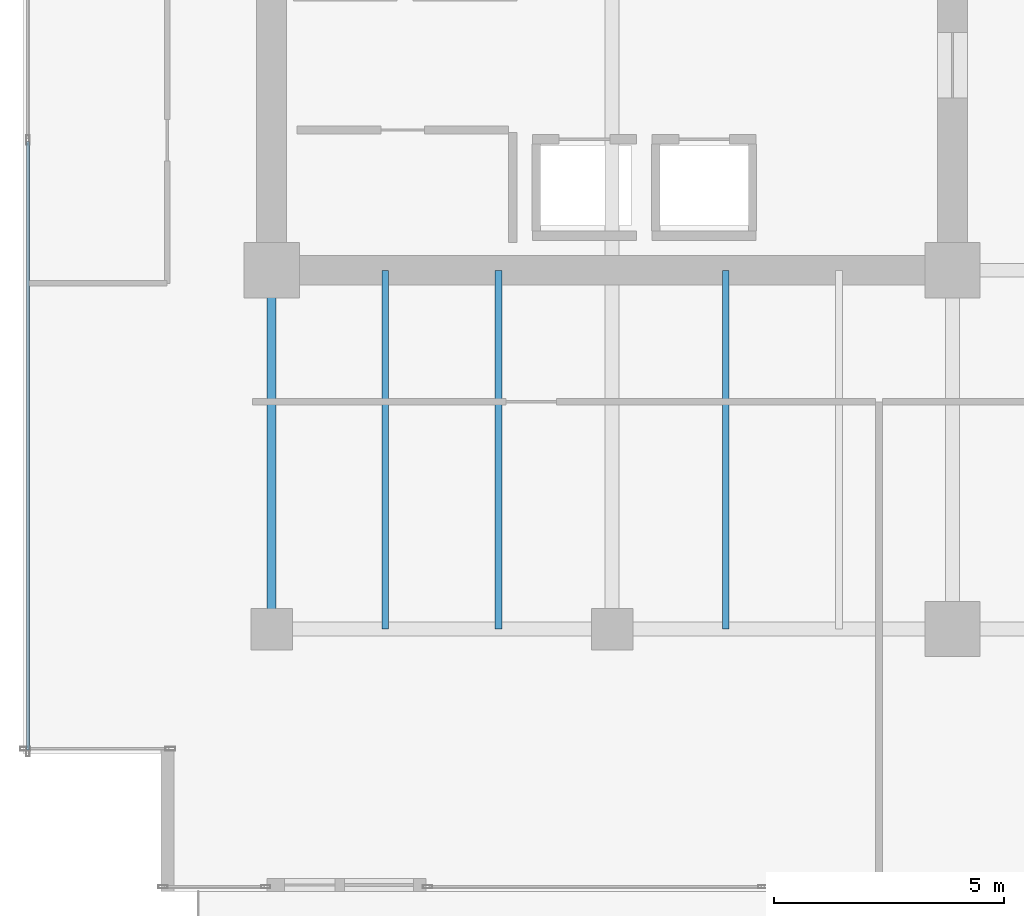
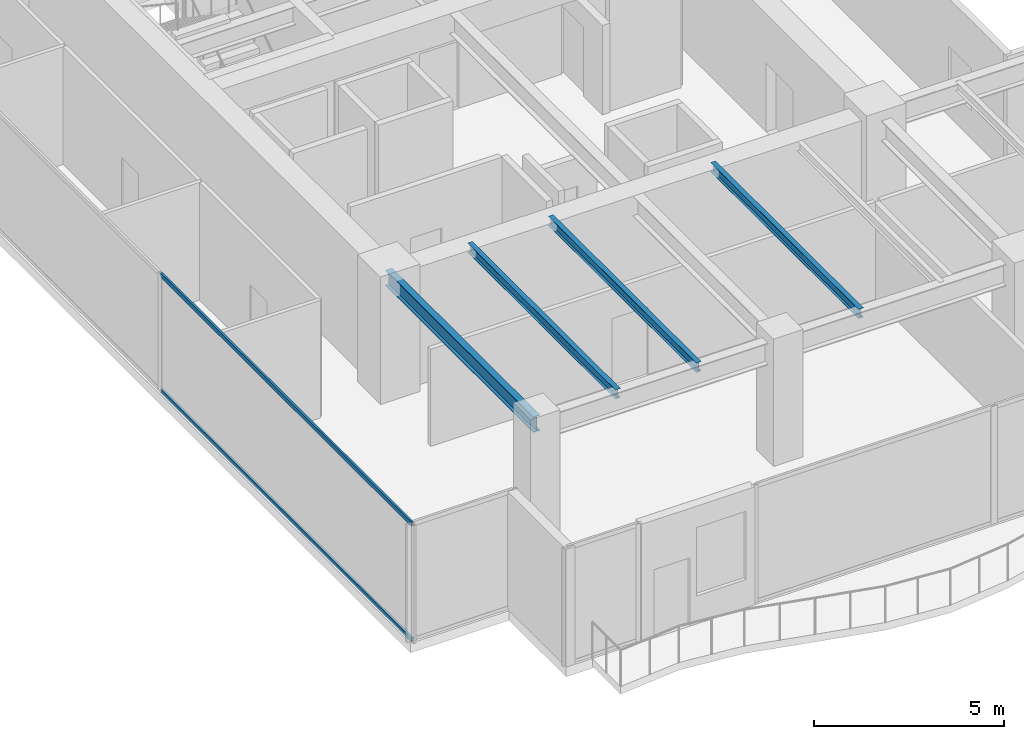
# One storey, part 3 of 30: 4 beams, 2 members, 1 element without a shape of its own.
"""IFC4 building model written with IfcOpenShell, lengths in metres."""

from ifc_helpers import new_model, si_unit, direction, frame, origin, origin_2d, place, context, subcontext, project, spatial, hollow_rectangle, i_section, extrude, source, transform, mapped, material, layer, layer_set, material_profile, profile_set, type_object, type_shapes, element, aggregate, save


model = new_model("IFC4")

# Units and contexts
model_context = context("Model", 3, precision=1e-05, world=origin(), true_north=direction((0.0, 1.0)))
body_context = subcontext(model_context, "Body", "Model", "MODEL_VIEW")
ifc_project = project(units=[si_unit("LENGTHUNIT", "METRE"), si_unit("AREAUNIT", "SQUARE_METRE"), si_unit("VOLUMEUNIT", "CUBIC_METRE"), si_unit("PLANEANGLEUNIT", "RADIAN"), si_unit("MASSUNIT", "GRAM", prefix="KILO")], contexts=[model_context])

# Site, building, storey
site_placement = place(None, origin())
site = spatial("IfcSite", under=ifc_project, at=site_placement, CompositionType="ELEMENT")
building_placement = place(site_placement, origin())
building = spatial("IfcBuilding", under=site, at=building_placement, Name="Haelvirn Gate Laboratories", CompositionType="ELEMENT")
storey_placement = place(building_placement, frame((0.0, 0.0, 113.300048828125)))
storey = spatial("IfcBuildingStorey", under=building, at=storey_placement, Name="L27", CompositionType="ELEMENT", Elevation=113.300048828125)

# Beams
ifc_material_1 = material(Name="Steel SM355", Category="steel")
ifc_material_profile_1 = material_profile(ifc_material_1, i_section(OverallWidth=0.199951171875, OverallDepth=0.5, WebThickness=0.010009765625, FlangeThickness=0.01611328125, at=origin_2d()), Name="H-500x200x10x16")
ifc_profile_set_1 = profile_set([ifc_material_profile_1], Name="Steel SM355")
beam_type_1 = type_object("IfcBeamType", Name="BM-SP-500", PredefinedType="SPANDREL", material=ifc_profile_set_1)
shared_shape_1 = source(origin(), body_context, "Body", "SweptSolid", [
    extrude(i_section(OverallWidth=0.199951171875, OverallDepth=0.5, WebThickness=0.010009765625, FlangeThickness=0.01611328125, at=origin_2d()), origin(), (0.0, 0.0, 1.0), 7.800048828125),
])
type_shapes(beam_type_1, [shared_shape_1])
beam_placement = place(storey_placement, frame((7.39990234375, 7.0, 3.5400390625), z_axis=(0.0, 1.0, 0.0), x_axis=(-1.0, 0.0, 0.0)))
element("IfcBeam", 1, at=beam_placement, inside=storey, type_object=beam_type_1, Name="L27 Perimeter Spandrel X7.4 (7.0-14.8)", PredefinedType="SPANDREL", context=body_context, shape_type="MappedRepresentation", body=[
    mapped(shared_shape_1, transform((0.0, 0.0, 0.0), scale=1.0)),
])
ifc_material_profile_2 = material_profile(ifc_material_1, i_section(OverallWidth=0.14990234375, OverallDepth=0.300048828125, WebThickness=0.006591796875, FlangeThickness=0.009033203125, at=origin_2d()), Name="H-300x150x6.5x9")
ifc_profile_set_2 = profile_set([ifc_material_profile_2], Name="Steel SM355")
beam_type_2 = type_object("IfcBeamType", Name="BM-J-300", PredefinedType="JOIST", material=ifc_profile_set_2)
shared_shape_2 = source(origin(), body_context, "Body", "SweptSolid", [
    extrude(i_section(OverallWidth=0.14990234375, OverallDepth=0.300048828125, WebThickness=0.006591796875, FlangeThickness=0.009033203125, at=origin_2d()), origin(), (0.0, 0.0, 1.0), 7.800048828125),
])
type_shapes(beam_type_2, [shared_shape_2])
for number, where, z_axis, x_axis, name in (
    (2, (9.8701171875, 7.0, 3.639892578125), (0.0, 1.0, 0.0), (-1.0, 0.0, 0.0), "L27 Composite Lab Joist South X9.87"),
    (3, (12.330078125, 7.0, 3.639892578125), (0.0, 1.0, 0.0), (-1.0, 0.0, 0.0), "L27 Composite Lab Joist South X12.33"),
    (4, (17.27001953125, 7.0, 3.639892578125), (0.0, 1.0, 0.0), (-1.0, 0.0, 0.0), "L27 Composite Lab Joist South X17.27"),
):
    element("IfcBeam", number, at=place(storey_placement, frame(where, z_axis=z_axis, x_axis=x_axis)), inside=storey, type_object=beam_type_2, Name=name, PredefinedType="JOIST", context=body_context, shape_type="MappedRepresentation", body=[
        mapped(shared_shape_2, transform((0.0, 0.0, 0.0), scale=1.0)),
    ])

# Curtain wall, members
ifc_material_2 = material(Name="Anodised bronze unitised aluminium & triple low-E glass", Category="aluminium")
ifc_layer = layer(ifc_material_2, 0.179931640625, Name="CW-SYS-3")
ifc_layer_set = layer_set([ifc_layer], Name="Anodised bronze unitised aluminium & triple low-E glass")
curtain_wall_type = type_object("IfcCurtainWallType", Name="CW-SYS-3", PredefinedType="NOTDEFINED", material=ifc_layer_set)
curtain_wall_placement = place(storey_placement, origin())
curtain_wall = element("IfcCurtainWall", 5, at=curtain_wall_placement, inside=storey, type_object=curtain_wall_type, Name="L27 Unitised Curtain Wall CW-L27-P0-E17", PredefinedType="NOTDEFINED")
ifc_material_3 = material(Name="Extruded aluminium 6063-T6 (anodised bronze)", Category="aluminium")
ifc_material_profile_3 = material_profile(ifc_material_3, hollow_rectangle(XDim=0.06494140625, YDim=0.139892578125, WallThickness=0.00390625, at=origin_2d()), Name="CWT-140x65x4")
ifc_profile_set_3 = profile_set([ifc_material_profile_3], Name="Extruded aluminium 6063-T6 (anodised bronze)")
member_type = type_object("IfcMemberType", Name="CWT-T140", PredefinedType="USERDEFINED", material=ifc_profile_set_3)
shared_shape_3 = source(origin(), body_context, "Body", "SweptSolid", [
    extrude(hollow_rectangle(XDim=0.06494140625, YDim=0.139892578125, WallThickness=0.00390625, at=origin_2d()), origin(), (0.0, 0.0, 1.0), 13.220947265625),
])
type_shapes(member_type, [shared_shape_3])
member_1_placement = place(storey_placement, frame((2.10009765625, 17.595947265625, 0.032470703125), z_axis=(0.0, -1.0, 0.0), x_axis=(1.0, 0.0, 0.0)))
member_1 = element("IfcMember", 6, at=member_1_placement, type_object=member_type, Name="CW3 transom 3.1", ObjectType="TRANSOM", PredefinedType="USERDEFINED", context=body_context, shape_type="MappedRepresentation", body=[
    mapped(shared_shape_3, transform((0.0, 0.0, 0.0), scale=1.0)),
])
member_2_placement = place(storey_placement, frame((2.10009765625, 17.595947265625, 3.757568359375), z_axis=(0.0, -1.0, 0.0), x_axis=(1.0, 0.0, 0.0)))
member_2 = element("IfcMember", 7, at=member_2_placement, type_object=member_type, Name="CW3 transom 3.2", ObjectType="TRANSOM", PredefinedType="USERDEFINED", context=body_context, shape_type="MappedRepresentation", body=[
    mapped(shared_shape_3, transform((0.0, 0.0, 0.0), scale=1.0)),
])
aggregate(curtain_wall, [member_1, member_2])

save(model, "model.ifc")
